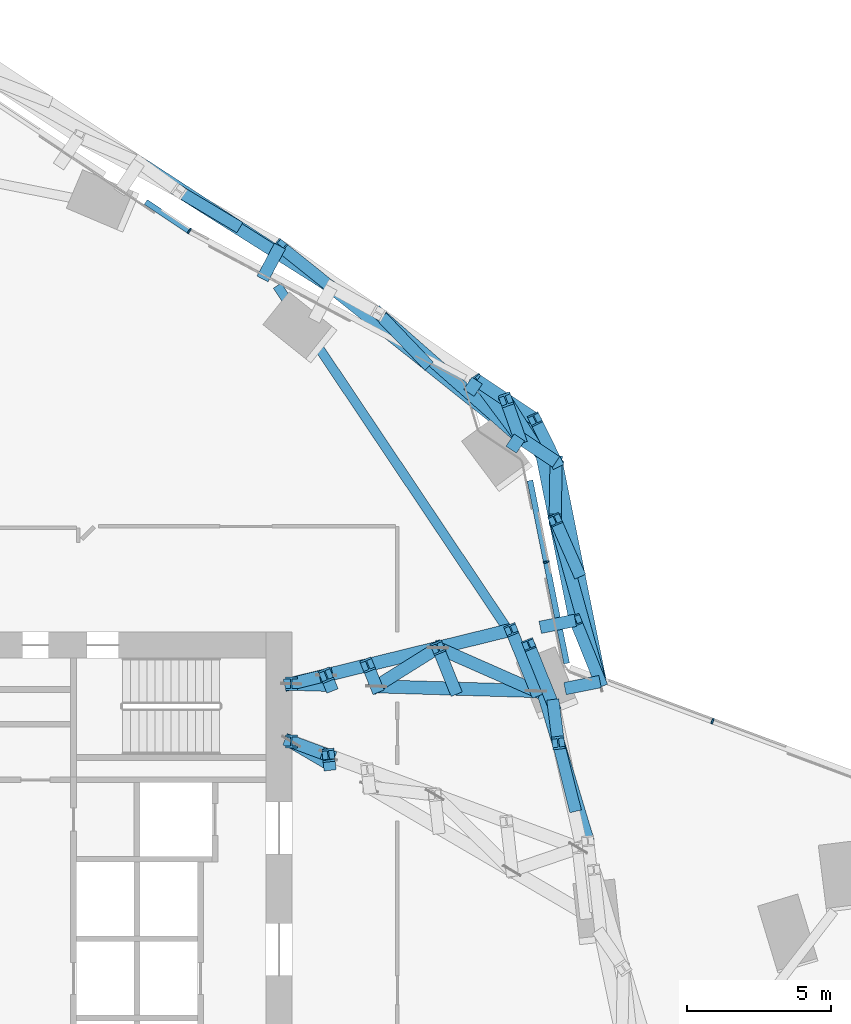
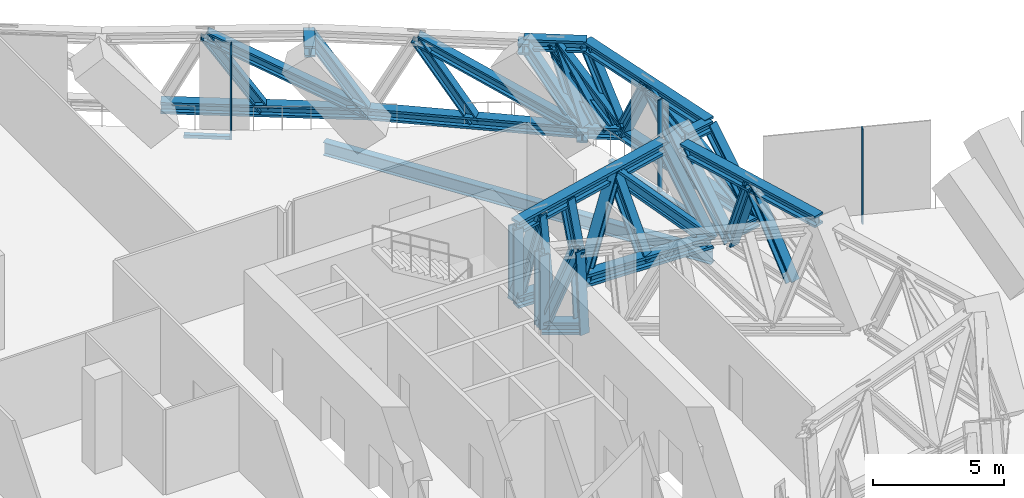
# One storey, part 15 of 34: 49 members, 1 beam, 4 elements without a shape of their own.
"""IFC4 building model written with IfcOpenShell, lengths in metres."""

from ifc_helpers import new_model, si_unit, direction, frame, origin, origin_2d, place, context, subcontext, project, spatial, rectangle, i_section, extrude, material, material_profile, profile_set, type_object, element, aggregate, save


model = new_model("IFC4")

# Units and contexts
model_context = context("Model", 3, precision=1e-05, world=origin(), true_north=direction((0.0, 1.0)))
body_context = subcontext(model_context, "Body", "Model", "MODEL_VIEW")
ifc_project = project(units=[si_unit("LENGTHUNIT", "METRE"), si_unit("AREAUNIT", "SQUARE_METRE"), si_unit("VOLUMEUNIT", "CUBIC_METRE"), si_unit("PLANEANGLEUNIT", "RADIAN"), si_unit("MASSUNIT", "GRAM", prefix="KILO")], contexts=[model_context])

# Site, building, storey
site_placement = place(None, origin())
site = spatial("IfcSite", under=ifc_project, at=site_placement, CompositionType="ELEMENT")
building_placement = place(site_placement, origin())
building = spatial("IfcBuilding", under=site, at=building_placement, Name="Orlundy Tower", CompositionType="ELEMENT")
storey_placement = place(building_placement, frame((0.0, 0.0, 76.300048828125)))
storey = spatial("IfcBuildingStorey", under=building, at=storey_placement, Name="L18", CompositionType="ELEMENT", Elevation=76.300048828125)

# Members
ifc_material_1 = material(Name="Steel ASTM A992 Gr 50", Category="steel")
ifc_material_profile_1 = material_profile(ifc_material_1, i_section(OverallWidth=0.4423828125, OverallDepth=0.531494140625, WebThickness=0.06591796875, FlangeThickness=0.105712890625, at=origin_2d()), Name="W14X605")
ifc_profile_set_1 = profile_set([ifc_material_profile_1], Name="Steel ASTM A992 Gr 50")
member_type_1 = type_object("IfcMemberType", Name="BELT TRUSS chord W14X605", PredefinedType="CHORD", material=ifc_profile_set_1)
member_1_placement = place(storey_placement, frame((29.249267578125, 4.757080078125, 3.715087890625), z_axis=(-0.288120504515, 0.957594159797, 0.0), x_axis=(-0.957594159797, -0.288120504515, 0.0)))
element("IfcMember", 1, at=member_1_placement, inside=storey, type_object=member_type_1, Name="Belt truss top chord BT-13", PredefinedType="CHORD", context=body_context, shape_type="SweptSolid", body=[
    extrude(i_section(OverallWidth=0.4423828125, OverallDepth=0.531494140625, WebThickness=0.06591796875, FlangeThickness=0.105712890625, at=origin_2d()), origin(), (0.0, 0.0, 1.0), 7.101806640625),
])
member_2_placement = place(storey_placement, frame((29.6708984375, 10.27734375, 0.28466796875), z_axis=(-0.196497388963, 0.980504347839, 0.0), x_axis=(-0.980504347839, -0.196497388963, 0.0)))
element("IfcMember", 2, at=member_2_placement, inside=storey, type_object=member_type_1, Name="Belt truss bottom chord BT-14A", PredefinedType="CHORD", context=body_context, shape_type="SweptSolid", body=[
    extrude(i_section(OverallWidth=0.4423828125, OverallDepth=0.531494140625, WebThickness=0.06591796875, FlangeThickness=0.105712890625, at=origin_2d()), origin(), (0.0, 0.0, 1.0), 7.758056640625),
])
member_3_placement = place(storey_placement, frame((28.813232421875, 12.39794921875, 3.715087890625), z_axis=(-0.196486376123, 0.980506554796, 0.0), x_axis=(-0.980506554796, -0.196486376123, 0.0)))
element("IfcMember", 3, at=member_3_placement, inside=storey, type_object=member_type_1, Name="Belt truss top chord BT-14A", PredefinedType="CHORD", context=body_context, shape_type="SweptSolid", body=[
    extrude(i_section(OverallWidth=0.4423828125, OverallDepth=0.531494140625, WebThickness=0.06591796875, FlangeThickness=0.105712890625, at=origin_2d()), origin(), (0.0, 0.0, 1.0), 7.10107421875),
])
member_4_placement = place(storey_placement, frame((28.146484375, 17.884033203125, 0.28466796875), z_axis=(-0.832271881391, 0.554367671717, 0.0), x_axis=(-0.554367671717, -0.832271881391, 0.0)))
element("IfcMember", 4, at=member_4_placement, inside=storey, type_object=member_type_1, Name="Belt truss bottom chord BT-14B", PredefinedType="CHORD", context=body_context, shape_type="SweptSolid", body=[
    extrude(i_section(OverallWidth=0.4423828125, OverallDepth=0.531494140625, WebThickness=0.06591796875, FlangeThickness=0.105712890625, at=origin_2d()), origin(), (0.0, 0.0, 1.0), 1.525146484375),
])
member_5_placement = place(storey_placement, frame((27.41796875, 19.360595703125, 3.715087890625), z_axis=(-0.832299569735, 0.554326100972, 0.0), x_axis=(-0.554326100972, -0.832299569735, 0.0)))
element("IfcMember", 5, at=member_5_placement, inside=storey, type_object=member_type_1, Name="Belt truss top chord BT-14B", PredefinedType="CHORD", context=body_context, shape_type="SweptSolid", body=[
    extrude(i_section(OverallWidth=0.4423828125, OverallDepth=0.531494140625, WebThickness=0.06591796875, FlangeThickness=0.105712890625, at=origin_2d()), origin(), (0.0, 0.0, 1.0), 2.409912109375),
])
member_6_placement = place(storey_placement, frame((26.877197265625, 18.7294921875, 0.28466796875), z_axis=(-0.781426432374, 0.623997380433, 0.0), x_axis=(-0.623997380433, -0.781426432374, 0.0)))
element("IfcMember", 6, at=member_6_placement, inside=storey, type_object=member_type_1, Name="Belt truss bottom chord BT-15A", PredefinedType="CHORD", context=body_context, shape_type="SweptSolid", body=[
    extrude(i_section(OverallWidth=0.4423828125, OverallDepth=0.531494140625, WebThickness=0.06591796875, FlangeThickness=0.105712890625, at=origin_2d()), origin(), (0.0, 0.0, 1.0), 8.32470703125),
])
member_7_placement = place(storey_placement, frame((20.3720703125, 23.924072265625, 0.28466796875), z_axis=(-0.838670490322, 0.544639154545, 0.0), x_axis=(-0.544639154545, -0.838670490322, 0.0)))
element("IfcMember", 7, at=member_7_placement, inside=storey, type_object=member_type_1, Name="Belt truss bottom chord BT-16A", PredefinedType="CHORD", context=body_context, shape_type="SweptSolid", body=[
    extrude(i_section(OverallWidth=0.4423828125, OverallDepth=0.531494140625, WebThickness=0.06591796875, FlangeThickness=0.105712890625, at=origin_2d()), origin(), (0.0, 0.0, 1.0), 7.938720703125),
])
ifc_material_2 = material(Name="Steel ASTM A992 Gr 50", Category="steel")
ifc_material_profile_2 = material_profile(ifc_material_2, i_section(OverallWidth=0.42431640625, OverallDepth=0.47412109375, WebThickness=0.0478515625, FlangeThickness=0.0771484375, at=origin_2d()), Name="W14X426")
ifc_profile_set_2 = profile_set([ifc_material_profile_2], Name="Steel ASTM A992 Gr 50")
member_type_2 = type_object("IfcMemberType", Name="BELT TRUSS diagonal W14X426", PredefinedType="BRACE", material=ifc_profile_set_2)
member_8_placement = place(storey_placement, frame((28.22607421875, 8.157470703125, 3.715087890625), z_axis=(-0.045097569008, 0.349123130234, -0.935991051883), x_axis=(-0.991760037922, -0.128109434397, 0.0)))
element("IfcMember", 8, at=member_8_placement, inside=storey, type_object=member_type_2, Name="Belt truss diagonal BT-13-1", PredefinedType="BRACE", context=body_context, shape_type="SweptSolid", body=[
    extrude(i_section(OverallWidth=0.42431640625, OverallDepth=0.47412109375, WebThickness=0.0478515625, FlangeThickness=0.0771484375, at=origin_2d()), origin(), (0.0, 0.0, 1.0), 3.6650390625),
])
member_9_placement = place(storey_placement, frame((29.6708984375, 10.27734375, 0.28466796875), z_axis=(-0.230413403003, 0.829864376911, 0.508168062407), x_axis=(-0.963549186511, -0.267531241491, 0.0)))
element("IfcMember", 9, at=member_9_placement, inside=storey, type_object=member_type_2, Name="Belt truss diagonal BT-14A-0", PredefinedType="BRACE", context=body_context, shape_type="SweptSolid", body=[
    extrude(i_section(OverallWidth=0.42431640625, OverallDepth=0.47412109375, WebThickness=0.0478515625, FlangeThickness=0.0771484375, at=origin_2d()), origin(), (0.0, 0.0, 1.0), 6.75048828125),
])
member_10_placement = place(storey_placement, frame((28.115478515625, 15.87939453125, 3.715087890625), z_axis=(0.00780350277, 0.504524104319, -0.863362341955), x_axis=(-0.999880406541, 0.015465206629, 0.0)))
element("IfcMember", 10, at=member_10_placement, inside=storey, type_object=member_type_2, Name="Belt truss diagonal BT-14A-1", PredefinedType="BRACE", context=body_context, shape_type="SweptSolid", body=[
    extrude(i_section(OverallWidth=0.42431640625, OverallDepth=0.47412109375, WebThickness=0.0478515625, FlangeThickness=0.0771484375, at=origin_2d()), origin(), (0.0, 0.0, 1.0), 3.973388671875),
])
member_11_placement = place(storey_placement, frame((28.146484375, 17.884033203125, 0.28466796875), z_axis=(-0.393462561411, 0.487334340022, 0.779546312802), x_axis=(-0.778061066259, -0.628188647758, 0.0)))
element("IfcMember", 11, at=member_11_placement, inside=storey, type_object=member_type_2, Name="Belt truss diagonal BT-14B-0", PredefinedType="BRACE", context=body_context, shape_type="SweptSolid", body=[
    extrude(i_section(OverallWidth=0.42431640625, OverallDepth=0.47412109375, WebThickness=0.0478515625, FlangeThickness=0.0771484375, at=origin_2d()), origin(), (0.0, 0.0, 1.0), 4.400634765625),
])
member_12_placement = place(storey_placement, frame((26.4150390625, 20.028564453125, 3.715087890625), z_axis=(0.125003718705, -0.351370727538, -0.927853804292), x_axis=(0.9421538165, 0.335180825904, 0.0)))
element("IfcMember", 12, at=member_12_placement, inside=storey, type_object=member_type_2, Name="Belt truss diagonal BT-14B-1", PredefinedType="BRACE", context=body_context, shape_type="SweptSolid", body=[
    extrude(i_section(OverallWidth=0.42431640625, OverallDepth=0.47412109375, WebThickness=0.0478515625, FlangeThickness=0.0771484375, at=origin_2d()), origin(), (0.0, 0.0, 1.0), 3.697265625),
])
member_13_placement = place(storey_placement, frame((26.877197265625, 18.7294921875, 0.28466796875), z_axis=(-0.66369369602, 0.584498252238, 0.466768112657), x_axis=(-0.660913207445, -0.750462345641, 0.0)))
element("IfcMember", 13, at=member_13_placement, inside=storey, type_object=member_type_2, Name="Belt truss diagonal BT-15A-0", PredefinedType="BRACE", context=body_context, shape_type="SweptSolid", body=[
    extrude(i_section(OverallWidth=0.42431640625, OverallDepth=0.47412109375, WebThickness=0.0478515625, FlangeThickness=0.0771484375, at=origin_2d()), origin(), (0.0, 0.0, 1.0), 7.349365234375),
])
member_14_placement = place(storey_placement, frame((20.3720703125, 23.924072265625, 0.28466796875), z_axis=(-0.741281873904, 0.467015128556, 0.48207681247), x_axis=(-0.533043823697, -0.846087632588, 0.0)))
element("IfcMember", 14, at=member_14_placement, inside=storey, type_object=member_type_2, Name="Belt truss diagonal BT-16A-0", PredefinedType="BRACE", context=body_context, shape_type="SweptSolid", body=[
    extrude(i_section(OverallWidth=0.42431640625, OverallDepth=0.47412109375, WebThickness=0.0478515625, FlangeThickness=0.0771484375, at=origin_2d()), origin(), (0.0, 0.0, 1.0), 7.115966796875),
])
ifc_material_3 = material(Name="Steel ASTM A992 Gr 50", Category="steel")
ifc_material_profile_3 = material_profile(ifc_material_3, i_section(OverallWidth=0.412109375, OverallDepth=0.434814453125, WebThickness=0.035888671875, FlangeThickness=0.057373046875, at=origin_2d()), Name="W14X311")
ifc_profile_set_3 = profile_set([ifc_material_profile_3], Name="Steel ASTM A992 Gr 50")
member_type_3 = type_object("IfcMemberType", Name="BELT TRUSS post W14X311", PredefinedType="POST", material=ifc_profile_set_3)
member_15_placement = place(storey_placement, frame((28.780517578125, 5.9599609375, 0.28466796875), z_axis=(-0.134852621673, 0.534481923241, 0.834352350123), x_axis=(-0.969614277657, -0.244638820638, 0.0)))
element("IfcMember", 15, at=member_15_placement, inside=storey, type_object=member_type_3, Name="Belt truss post BT-13-1", PredefinedType="POST", context=body_context, shape_type="SweptSolid", body=[
    extrude(i_section(OverallWidth=0.412109375, OverallDepth=0.434814453125, WebThickness=0.035888671875, FlangeThickness=0.057373046875, at=origin_2d()), origin(), (0.0, 0.0, 1.0), 4.111572265625),
])
for number, where, z_axis, x_axis, name in (
    (16, (28.060791015625, 9.43701171875, 0.28466796875), (-0.208012486797, 0.514317238917, 0.831990734978), (-0.927049296818, -0.374939463472, 0.0), "Belt truss post BT-13-2"),
    (17, (29.6708984375, 10.27734375, 0.28466796875), (-0.208012486797, 0.514317238917, 0.831990734978), (-0.927049296818, -0.374939463472, 0.0), "Belt truss post BT-14A-0"),
):
    element("IfcMember", number, at=place(storey_placement, frame(where, z_axis=z_axis, x_axis=x_axis)), inside=storey, type_object=member_type_3, Name=name, PredefinedType="POST", context=body_context, shape_type="SweptSolid", body=[
        extrude(i_section(OverallWidth=0.412109375, OverallDepth=0.434814453125, WebThickness=0.035888671875, FlangeThickness=0.057373046875, at=origin_2d()), origin(), (0.0, 0.0, 1.0), 4.123046875),
    ])
member_16_placement = place(storey_placement, frame((28.90869140625, 14.080810546875, 0.28466796875), z_axis=(-0.200624639768, 0.454909732585, 0.867644448561), x_axis=(-0.914970405044, -0.403520950996, 0.0)))
element("IfcMember", 18, at=member_16_placement, inside=storey, type_object=member_type_3, Name="Belt truss post BT-14A-1", PredefinedType="POST", context=body_context, shape_type="SweptSolid", body=[
    extrude(i_section(OverallWidth=0.412109375, OverallDepth=0.434814453125, WebThickness=0.035888671875, FlangeThickness=0.057373046875, at=origin_2d()), origin(), (0.0, 0.0, 1.0), 3.95361328125),
])
member_17_placement = place(storey_placement, frame((28.146484375, 17.884033203125, 0.28466796875), z_axis=(-0.191457902211, 0.388048724052, 0.901533171571), x_axis=(-0.896787057667, -0.4424623975, 0.0)))
element("IfcMember", 19, at=member_17_placement, inside=storey, type_object=member_type_3, Name="Belt truss post BT-14A-2", PredefinedType="POST", context=body_context, shape_type="SweptSolid", body=[
    extrude(i_section(OverallWidth=0.412109375, OverallDepth=0.434814453125, WebThickness=0.035888671875, FlangeThickness=0.057373046875, at=origin_2d()), origin(), (0.0, 0.0, 1.0), 3.80517578125),
])
member_18_placement = place(storey_placement, frame((27.51171875, 18.306640625, 0.28466796875), z_axis=(-0.274724145818, 0.431351157714, 0.859338595923), x_axis=(-0.843459534111, -0.537192716181, 0.0)))
element("IfcMember", 20, at=member_18_placement, inside=storey, type_object=member_type_3, Name="Belt truss post BT-14B-1", PredefinedType="POST", context=body_context, shape_type="SweptSolid", body=[
    extrude(i_section(OverallWidth=0.412109375, OverallDepth=0.434814453125, WebThickness=0.035888671875, FlangeThickness=0.057373046875, at=origin_2d()), origin(), (0.0, 0.0, 1.0), 3.991943359375),
])
member_19_placement = place(storey_placement, frame((26.877197265625, 18.7294921875, 0.28466796875), z_axis=(-0.347420060499, 0.466449496325, 0.813464300963), x_axis=(-0.801990351817, -0.597336986627, 0.0)))
element("IfcMember", 21, at=member_19_placement, inside=storey, type_object=member_type_3, Name="Belt truss post BT-14B-2", PredefinedType="POST", context=body_context, shape_type="SweptSolid", body=[
    extrude(i_section(OverallWidth=0.412109375, OverallDepth=0.434814453125, WebThickness=0.035888671875, FlangeThickness=0.057373046875, at=origin_2d()), origin(), (0.0, 0.0, 1.0), 4.217041015625),
])
member_20_placement = place(storey_placement, frame((23.624755859375, 21.32666015625, 0.28466796875), z_axis=(-0.390814068484, 0.408426239214, 0.824895369727), x_axis=(-0.722513282855, -0.691357039523, 0.0)))
element("IfcMember", 22, at=member_20_placement, inside=storey, type_object=member_type_3, Name="Belt truss post BT-15A-1", PredefinedType="POST", context=body_context, shape_type="SweptSolid", body=[
    extrude(i_section(OverallWidth=0.412109375, OverallDepth=0.434814453125, WebThickness=0.035888671875, FlangeThickness=0.057373046875, at=origin_2d()), origin(), (0.0, 0.0, 1.0), 4.15869140625),
])
member_21_placement = place(storey_placement, frame((20.3720703125, 23.924072265625, 0.28466796875), z_axis=(-0.433021418029, 0.346807937289, 0.831995616672), x_axis=(-0.625124480939, -0.780525068996, 0.0)))
element("IfcMember", 23, at=member_21_placement, inside=storey, type_object=member_type_3, Name="Belt truss post BT-15A-2", PredefinedType="POST", context=body_context, shape_type="SweptSolid", body=[
    extrude(i_section(OverallWidth=0.412109375, OverallDepth=0.434814453125, WebThickness=0.035888671875, FlangeThickness=0.057373046875, at=origin_2d()), origin(), (0.0, 0.0, 1.0), 4.123046875),
])
member_22_placement = place(storey_placement, frame((17.043212890625, 26.0859375, 0.28466796875), z_axis=(-0.473328203252, 0.282476761118, 0.83436640119), x_axis=(-0.512466478251, -0.858707231057, 0.0)))
element("IfcMember", 24, at=member_22_placement, inside=storey, type_object=member_type_3, Name="Belt truss post BT-16A-1", PredefinedType="POST", context=body_context, shape_type="SweptSolid", body=[
    extrude(i_section(OverallWidth=0.412109375, OverallDepth=0.434814453125, WebThickness=0.035888671875, FlangeThickness=0.057373046875, at=origin_2d()), origin(), (0.0, 0.0, 1.0), 4.111328125),
])
ifc_material_4 = material(Name="Steel ASTM A992 Gr 50", Category="steel")
ifc_material_profile_4 = material_profile(ifc_material_4, i_section(OverallWidth=0.43212890625, OverallDepth=0.497802734375, WebThickness=0.0556640625, FlangeThickness=0.0888671875, at=origin_2d()), Name="W14X500")
ifc_profile_set_4 = profile_set([ifc_material_profile_4], Name="Steel ASTM A992 Gr 50")
member_type_4 = type_object("IfcMemberType", Name="BELT TRUSS strut W14X500", PredefinedType="STRUT", material=ifc_profile_set_4)
member_23_placement = place(storey_placement, frame((28.455322265625, 10.03369140625, 0.28466796875), z_axis=(0.980497272128, 0.196532692827, 0.0), x_axis=(-0.196532692827, 0.980497272128, 0.0)))
element("IfcMember", 25, at=member_23_placement, inside=storey, type_object=member_type_4, Name="Belt truss bracket C-H02", PredefinedType="STRUT", context=body_context, shape_type="SweptSolid", body=[
    extrude(i_section(OverallWidth=0.43212890625, OverallDepth=0.497802734375, WebThickness=0.0556640625, FlangeThickness=0.0888671875, at=origin_2d()), origin(), (0.0, 0.0, 1.0), 1.23974609375),
])
member_24_placement = place(storey_placement, frame((27.597900390625, 12.154296875, 3.715087890625), z_axis=(0.980489663617, 0.196570647708, 0.0), x_axis=(-0.196570647708, 0.980489663617, 0.0)))
element("IfcMember", 26, at=member_24_placement, inside=storey, type_object=member_type_4, Name="Belt truss bracket C-H02", PredefinedType="STRUT", context=body_context, shape_type="SweptSolid", body=[
    extrude(i_section(OverallWidth=0.43212890625, OverallDepth=0.497802734375, WebThickness=0.0556640625, FlangeThickness=0.0888671875, at=origin_2d()), origin(), (0.0, 0.0, 1.0), 1.239501953125),
])
for number, where, z_axis, x_axis, name in (
    (27, (26.59375, 18.3037109375, 0.28466796875), (0.55414933993, 0.832417268595, 0.0), (-0.832417268595, 0.55414933993, 0.0), "Belt truss bracket C-H01"),
    (28, (25.128662109375, 20.270751953125, 3.715087890625), (0.55414933993, 0.832417268595, 0.0), (-0.832417268595, 0.55414933993, 0.0), "Belt truss bracket C-H01"),
):
    element("IfcMember", number, at=place(storey_placement, frame(where, z_axis=z_axis, x_axis=x_axis)), inside=storey, type_object=member_type_4, Name=name, PredefinedType="STRUT", context=body_context, shape_type="SweptSolid", body=[
        extrude(i_section(OverallWidth=0.43212890625, OverallDepth=0.497802734375, WebThickness=0.0556640625, FlangeThickness=0.0888671875, at=origin_2d()), origin(), (0.0, 0.0, 1.0), 0.511474609375),
    ])
member_25_placement = place(storey_placement, frame((17.981689453125, 24.2158203125, 3.715087890625), z_axis=(0.469349092965, 0.883012700324, 0.0), x_axis=(-0.883012700324, 0.469349092965, 0.0)))
element("IfcMember", 29, at=member_25_placement, inside=storey, type_object=member_type_4, Name="Belt truss bracket C-H24", PredefinedType="STRUT", context=body_context, shape_type="SweptSolid", body=[
    extrude(i_section(OverallWidth=0.43212890625, OverallDepth=0.497802734375, WebThickness=0.0556640625, FlangeThickness=0.0888671875, at=origin_2d()), origin(), (0.0, 0.0, 1.0), 1.2890625),
])

# Beam
ifc_material_5 = material(Name="Steel ASTM A992 Gr 50", Category="steel")
ifc_material_profile_5 = material_profile(ifc_material_5, i_section(OverallWidth=0.32373046875, OverallDepth=0.611083984375, WebThickness=0.0126953125, FlangeThickness=0.01904296875, at=origin_2d()), Name="W24X104")
ifc_profile_set_5 = profile_set([ifc_material_profile_5], Name="Steel ASTM A992 Gr 50")
beam_type = type_object("IfcBeamType", Name="CANTILEVER GIRDER beam W24X104", PredefinedType="BEAM", material=ifc_profile_set_5)
beam_placement = place(storey_placement, frame((18.494873046875, 23.982666015625, -0.755615234375), z_axis=(0.556763072524, -0.830671343597, 0.0), x_axis=(0.830671343597, 0.556763072524, 0.0)))
element("IfcBeam", 30, at=beam_placement, inside=storey, type_object=beam_type, Name="Cantilever girder C-H24 L18", PredefinedType="BEAM", context=body_context, shape_type="SweptSolid", body=[
    extrude(i_section(OverallWidth=0.32373046875, OverallDepth=0.611083984375, WebThickness=0.0126953125, FlangeThickness=0.01904296875, at=origin_2d()), origin(), (0.0, 0.0, 1.0), 16.564453125),
])

# Curtain wall, member
ifc_material_6 = material(Name="Aluminium bronze anodised", Category="aluminium")
curtain_wall_type = type_object("IfcCurtainWallType", Name="CW4 wall", PredefinedType="NOTDEFINED", material=ifc_material_6)
curtain_wall_1_placement = place(storey_placement, origin())
curtain_wall_1 = element("IfcCurtainWall", 31, at=curtain_wall_1_placement, inside=storey, type_object=curtain_wall_type, Name="CW4 run 011", PredefinedType="NOTDEFINED")
ifc_material_7 = material(Name="Aluminium bronze anodised", Category="aluminium")
ifc_material_profile_6 = material_profile(ifc_material_7, rectangle(XDim=0.199951171875, YDim=0.06005859375, at=origin_2d()), Name="CW4 mullion 60x200")
ifc_profile_set_6 = profile_set([ifc_material_profile_6], Name="Aluminium bronze anodised")
member_type_5 = type_object("IfcMemberType", Name="CW4 mullion 60x200", PredefinedType="MULLION", material=ifc_profile_set_6)
member_26_placement = place(storey_placement, frame((15.4482421875, 25.8759765625, -0.449951171875), z_axis=(0.0, 0.0, 1.0), x_axis=(0.512527560249, 0.858670775085, 0.0)))
member_26 = element("IfcMember", 32, at=member_26_placement, type_object=member_type_5, Name="CW4 mullion 17", PredefinedType="MULLION", context=body_context, shape_type="SweptSolid", body=[
    extrude(rectangle(XDim=0.199951171875, YDim=0.06005859375, at=origin_2d()), origin(), (0.0, 0.0, 1.0), 4.449951171875),
])
aggregate(curtain_wall_1, [member_26])

curtain_wall_2_placement = place(storey_placement, origin())
curtain_wall_2 = element("IfcCurtainWall", 33, at=curtain_wall_2_placement, inside=storey, type_object=curtain_wall_type, Name="CW4 run 014", PredefinedType="NOTDEFINED")
member_27_placement = place(storey_placement, frame((27.80908203125, 14.417236328125, -0.449951171875), z_axis=(0.0, 0.0, 1.0), x_axis=(0.980503794618, 0.196500149465, 0.0)))
member_27 = element("IfcMember", 34, at=member_27_placement, type_object=member_type_5, Name="CW4 mullion 22", PredefinedType="MULLION", context=body_context, shape_type="SweptSolid", body=[
    extrude(rectangle(XDim=0.199951171875, YDim=0.06005859375, at=origin_2d()), origin(), (0.0, 0.0, 1.0), 4.449951171875),
])

curtain_wall_3_placement = place(storey_placement, origin())
curtain_wall_3 = element("IfcCurtainWall", 35, at=curtain_wall_3_placement, inside=storey, type_object=curtain_wall_type, Name="CW4 run 015", PredefinedType="NOTDEFINED")
member_28_placement = place(storey_placement, frame((33.561767578125, 8.91015625, -0.449951171875), z_axis=(0.0, 0.0, 1.0), x_axis=(0.350189315544, 0.936678943544, 0.0)))
member_28 = element("IfcMember", 36, at=member_28_placement, type_object=member_type_5, Name="CW4 mullion 24", PredefinedType="MULLION", context=body_context, shape_type="SweptSolid", body=[
    extrude(rectangle(XDim=0.199951171875, YDim=0.06005859375, at=origin_2d()), origin(), (0.0, 0.0, 1.0), 4.449951171875),
])
aggregate(curtain_wall_3, [member_28])

curtain_wall_4_placement = place(storey_placement, origin())
curtain_wall_4 = element("IfcCurtainWall", 37, at=curtain_wall_4_placement, inside=storey, type_object=curtain_wall_type, Name="CW4 run 010", PredefinedType="NOTDEFINED")
ifc_material_8 = material(Name="Aluminium bronze anodised", Category="aluminium")
ifc_material_profile_7 = material_profile(ifc_material_8, rectangle(XDim=0.199951171875, YDim=0.14990234375, at=origin_2d()), Name="CW4 transom 200x150")
ifc_profile_set_7 = profile_set([ifc_material_profile_7], Name="Aluminium bronze anodised")
member_type_6 = type_object("IfcMemberType", Name="CW4 transom 200x150", PredefinedType="USERDEFINED", material=ifc_profile_set_7)
member_29_placement = place(storey_placement, frame((13.941650390625, 26.87939453125, -0.375), z_axis=(0.832303389428, -0.554320365805, 0.0), x_axis=(0.554320365805, 0.832303389428, 0.0)))
member_29 = element("IfcMember", 38, at=member_29_placement, type_object=member_type_6, Name="CW4 transom", ObjectType="TRANSOM", PredefinedType="USERDEFINED", context=body_context, shape_type="SweptSolid", body=[
    extrude(rectangle(XDim=0.199951171875, YDim=0.14990234375, at=origin_2d()), origin(), (0.0, 0.0, 1.0), 1.7802734375),
])
aggregate(curtain_wall_4, [member_29])

# Member
member_30_placement = place(storey_placement, frame((27.243896484375, 17.237548828125, -0.375), z_axis=(0.196479574279, -0.980507917812, 0.0), x_axis=(0.980507917812, 0.196479574279, 0.0)))
member_30 = element("IfcMember", 39, at=member_30_placement, type_object=member_type_6, Name="CW4 transom", ObjectType="TRANSOM", PredefinedType="USERDEFINED", context=body_context, shape_type="SweptSolid", body=[
    extrude(rectangle(XDim=0.199951171875, YDim=0.14990234375, at=origin_2d()), origin(), (0.0, 0.0, 1.0), 6.458984375),
])

aggregate(curtain_wall_2, [member_27, member_30])

# Members
ifc_material_9 = material(Name="Steel ASTM A992 Gr 50", Category="steel")
ifc_material_profile_8 = material_profile(ifc_material_9, i_section(OverallWidth=0.454345703125, OverallDepth=0.569580078125, WebThickness=0.077880859375, FlangeThickness=0.124755859375, at=origin_2d()), Name="W14X730")
ifc_profile_set_8 = profile_set([ifc_material_profile_8], Name="Steel ASTM A992 Gr 50")
member_type_7 = type_object("IfcMemberType", Name="OUTRIGGER TRUSS chord W14X730", PredefinedType="CHORD", material=ifc_profile_set_8)
member_31_placement = place(storey_placement, frame((18.97998046875, 8.199951171875, 0.28466796875), z_axis=(0.86316395216, -0.504923748394, 0.0), x_axis=(0.504923748394, 0.86316395216, 0.0)))
element("IfcMember", 40, at=member_31_placement, inside=storey, type_object=member_type_7, Name="Outrigger truss bottom chord OR-E-C-H03", PredefinedType="CHORD", context=body_context, shape_type="SweptSolid", body=[
    extrude(i_section(OverallWidth=0.454345703125, OverallDepth=0.569580078125, WebThickness=0.077880859375, FlangeThickness=0.124755859375, at=origin_2d()), origin(), (0.0, 0.0, 1.0), 1.52783203125),
])
member_32_placement = place(storey_placement, frame((18.97998046875, 10.199951171875, 0.28466796875), z_axis=(0.999565550169, -0.02947390228, 0.0), x_axis=(0.02947390228, 0.999565550169, 0.0)))
element("IfcMember", 41, at=member_32_placement, inside=storey, type_object=member_type_7, Name="Outrigger truss bottom chord OR-E-C-H02", PredefinedType="CHORD", context=body_context, shape_type="SweptSolid", body=[
    extrude(i_section(OverallWidth=0.454345703125, OverallDepth=0.569580078125, WebThickness=0.077880859375, FlangeThickness=0.124755859375, at=origin_2d()), origin(), (0.0, 0.0, 1.0), 1.341796875),
])
member_33_placement = place(storey_placement, frame((21.920654296875, 10.11279296875, 0.28466796875), z_axis=(0.999562781729, -0.029567640784, 0.0), x_axis=(0.029567640784, 0.999562781729, 0.0)))
element("IfcMember", 42, at=member_33_placement, inside=storey, type_object=member_type_7, Name="Outrigger truss bottom chord OR-E-C-H022", PredefinedType="CHORD", context=body_context, shape_type="SweptSolid", body=[
    extrude(i_section(OverallWidth=0.454345703125, OverallDepth=0.569580078125, WebThickness=0.077880859375, FlangeThickness=0.124755859375, at=origin_2d()), origin(), (0.0, 0.0, 1.0), 5.5322265625),
])
member_34_placement = place(storey_placement, frame((18.97998046875, 10.199951171875, 3.715087890625), z_axis=(0.971143509326, 0.238495878986, 0.0), x_axis=(-0.238495878986, 0.971143509326, 0.0)))
element("IfcMember", 43, at=member_34_placement, inside=storey, type_object=member_type_7, Name="Outrigger truss top chord OR-E-C-H02", PredefinedType="CHORD", context=body_context, shape_type="SweptSolid", body=[
    extrude(i_section(OverallWidth=0.454345703125, OverallDepth=0.569580078125, WebThickness=0.077880859375, FlangeThickness=0.124755859375, at=origin_2d()), origin(), (0.0, 0.0, 1.0), 7.83935546875),
])
ifc_material_10 = material(Name="Steel ASTM A992 Gr 50", Category="steel")
ifc_material_profile_9 = material_profile(ifc_material_10, i_section(OverallWidth=0.43212890625, OverallDepth=0.497802734375, WebThickness=0.0556640625, FlangeThickness=0.0888671875, at=origin_2d()), Name="W14X500")
ifc_profile_set_9 = profile_set([ifc_material_profile_9], Name="Steel ASTM A992 Gr 50")
member_type_8 = type_object("IfcMemberType", Name="OUTRIGGER TRUSS diagonal W14X500", PredefinedType="BRACE", material=ifc_profile_set_9)
member_35_placement = place(storey_placement, frame((18.97998046875, 8.199951171875, 0.28466796875), z_axis=(0.348176899058, -0.129120831421, 0.928493757575), x_axis=(0.347708427301, 0.937602714151, 0.0)))
element("IfcMember", 44, at=member_35_placement, inside=storey, type_object=member_type_8, Name="Outrigger truss diagonal OR-E-C-H03-0", PredefinedType="BRACE", context=body_context, shape_type="SweptSolid", body=[
    extrude(i_section(OverallWidth=0.43212890625, OverallDepth=0.497802734375, WebThickness=0.0556640625, FlangeThickness=0.0888671875, at=origin_2d()), origin(), (0.0, 0.0, 1.0), 3.694580078125),
])
member_36_placement = place(storey_placement, frame((18.97998046875, 10.199951171875, 0.28466796875), z_axis=(0.330461233514, 0.081176483648, 0.940322153119), x_axis=(-0.238554020782, 0.971129228872, 0.0)))
element("IfcMember", 45, at=member_36_placement, inside=storey, type_object=member_type_8, Name="Outrigger truss diagonal OR-E-C-H02-0", PredefinedType="BRACE", context=body_context, shape_type="SweptSolid", body=[
    extrude(i_section(OverallWidth=0.43212890625, OverallDepth=0.497802734375, WebThickness=0.0556640625, FlangeThickness=0.0888671875, at=origin_2d()), origin(), (0.0, 0.0, 1.0), 3.648193359375),
])
member_37_placement = place(storey_placement, frame((21.920654296875, 10.11279296875, 0.28466796875), z_axis=(0.50172357974, 0.31346247897, 0.806234906098), x_axis=(-0.529859440788, 0.84808547506, 0.0)))
element("IfcMember", 46, at=member_37_placement, inside=storey, type_object=member_type_8, Name="Outrigger truss diagonal OR-E-C-H02-2", PredefinedType="BRACE", context=body_context, shape_type="SweptSolid", body=[
    extrude(i_section(OverallWidth=0.43212890625, OverallDepth=0.497802734375, WebThickness=0.0556640625, FlangeThickness=0.0888671875, at=origin_2d()), origin(), (0.0, 0.0, 1.0), 4.2548828125),
])
member_38_placement = place(storey_placement, frame((24.055419921875, 11.446533203125, 3.715087890625), z_axis=(0.671841436517, -0.296304007634, -0.678846830469), x_axis=(0.403530050463, 0.914966391936, 0.0)))
element("IfcMember", 47, at=member_38_placement, inside=storey, type_object=member_type_8, Name="Outrigger truss diagonal OR-E-C-H02-3", PredefinedType="BRACE", context=body_context, shape_type="SweptSolid", body=[
    extrude(i_section(OverallWidth=0.43212890625, OverallDepth=0.497802734375, WebThickness=0.0556640625, FlangeThickness=0.0888671875, at=origin_2d()), origin(), (0.0, 0.0, 1.0), 5.05322265625),
])
ifc_material_11 = material(Name="Steel ASTM A992 Gr 50", Category="steel")
ifc_material_profile_10 = material_profile(ifc_material_11, i_section(OverallWidth=0.41845703125, OverallDepth=0.455078125, WebThickness=0.0419921875, FlangeThickness=0.067626953125, at=origin_2d()), Name="W14X370")
ifc_profile_set_10 = profile_set([ifc_material_profile_10], Name="Steel ASTM A992 Gr 50")
member_type_9 = type_object("IfcMemberType", Name="OUTRIGGER TRUSS post W14X370", PredefinedType="POST", material=ifc_profile_set_10)
member_39_placement = place(storey_placement, frame((18.97998046875, 8.199951171875, 0.28466796875), z_axis=(0.0, 0.0, 1.0), x_axis=(1.0, 0.0, 0.0)))
element("IfcMember", 48, at=member_39_placement, inside=storey, type_object=member_type_9, Name="Outrigger truss post OR-E-C-H03-0", PredefinedType="POST", context=body_context, shape_type="SweptSolid", body=[
    extrude(i_section(OverallWidth=0.41845703125, OverallDepth=0.455078125, WebThickness=0.0419921875, FlangeThickness=0.067626953125, at=origin_2d()), origin(), (0.0, 0.0, 1.0), 3.430419921875),
])
member_40_placement = place(storey_placement, frame((20.298828125, 7.428466796875, 0.0), z_axis=(-0.008712573519, 0.079002734315, 0.996836325097), x_axis=(-0.993973861166, -0.109617349532, 0.0)))
element("IfcMember", 49, at=member_40_placement, inside=storey, type_object=member_type_9, Name="Outrigger truss post OR-E-C-H03-1", PredefinedType="POST", context=body_context, shape_type="SweptSolid", body=[
    extrude(i_section(OverallWidth=0.41845703125, OverallDepth=0.455078125, WebThickness=0.0419921875, FlangeThickness=0.067626953125, at=origin_2d()), origin(), (0.0, 0.0, 1.0), 3.726806640625),
])
member_41_placement = place(storey_placement, frame((18.97998046875, 10.199951171875, 0.28466796875), z_axis=(0.0, 0.0, 1.0), x_axis=(1.0, 0.0, 0.0)))
element("IfcMember", 50, at=member_41_placement, inside=storey, type_object=member_type_9, Name="Outrigger truss post OR-E-C-H02-0", PredefinedType="POST", context=body_context, shape_type="SweptSolid", body=[
    extrude(i_section(OverallWidth=0.41845703125, OverallDepth=0.455078125, WebThickness=0.0419921875, FlangeThickness=0.067626953125, at=origin_2d()), origin(), (0.0, 0.0, 1.0), 3.430419921875),
])
member_42_placement = place(storey_placement, frame((20.3212890625, 10.160400390625, 0.0), z_axis=(-0.036365755831, 0.089933299043, 0.99528364476), x_axis=(-0.927075169292, -0.374875486637, 0.0)))
element("IfcMember", 51, at=member_42_placement, inside=storey, type_object=member_type_9, Name="Outrigger truss post OR-E-C-H02-1", PredefinedType="POST", context=body_context, shape_type="SweptSolid", body=[
    extrude(i_section(OverallWidth=0.41845703125, OverallDepth=0.455078125, WebThickness=0.0419921875, FlangeThickness=0.067626953125, at=origin_2d()), origin(), (0.0, 0.0, 1.0), 3.732666015625),
])
member_43_placement = place(storey_placement, frame((21.920654296875, 10.11279296875, 0.0), z_axis=(-0.078337743736, 0.193820045206, 0.97790438591), x_axis=(-0.927135062768, -0.37472733472, 0.0)))
element("IfcMember", 52, at=member_43_placement, inside=storey, type_object=member_type_9, Name="Outrigger truss post OR-E-C-H02-2", PredefinedType="POST", context=body_context, shape_type="SweptSolid", body=[
    extrude(i_section(OverallWidth=0.41845703125, OverallDepth=0.455078125, WebThickness=0.0419921875, FlangeThickness=0.067626953125, at=origin_2d()), origin(), (0.0, 0.0, 1.0), 3.799072265625),
])
member_44_placement = place(storey_placement, frame((24.626953125, 10.03271484375, 0.28466796875), z_axis=(-0.152242150852, 0.376605850313, 0.913778069891), x_axis=(-0.927112432855, -0.374783319861, 0.0)))
element("IfcMember", 53, at=member_44_placement, inside=storey, type_object=member_type_9, Name="Outrigger truss post OR-E-C-H02-3", PredefinedType="POST", context=body_context, shape_type="SweptSolid", body=[
    extrude(i_section(OverallWidth=0.41845703125, OverallDepth=0.455078125, WebThickness=0.0419921875, FlangeThickness=0.067626953125, at=origin_2d()), origin(), (0.0, 0.0, 1.0), 3.754150390625),
])
member_45_placement = place(storey_placement, frame((27.450439453125, 9.94921875, 0.28466796875), z_axis=(-0.207962168745, 0.514280021512, 0.832026319202), x_axis=(-0.927071392039, -0.374884827731, 0.0)))
element("IfcMember", 54, at=member_45_placement, inside=storey, type_object=member_type_9, Name="Outrigger truss post OR-E-C-H02-4", PredefinedType="POST", context=body_context, shape_type="SweptSolid", body=[
    extrude(i_section(OverallWidth=0.41845703125, OverallDepth=0.455078125, WebThickness=0.0419921875, FlangeThickness=0.067626953125, at=origin_2d()), origin(), (0.0, 0.0, 1.0), 4.123046875),
])

save(model, "model.ifc")
